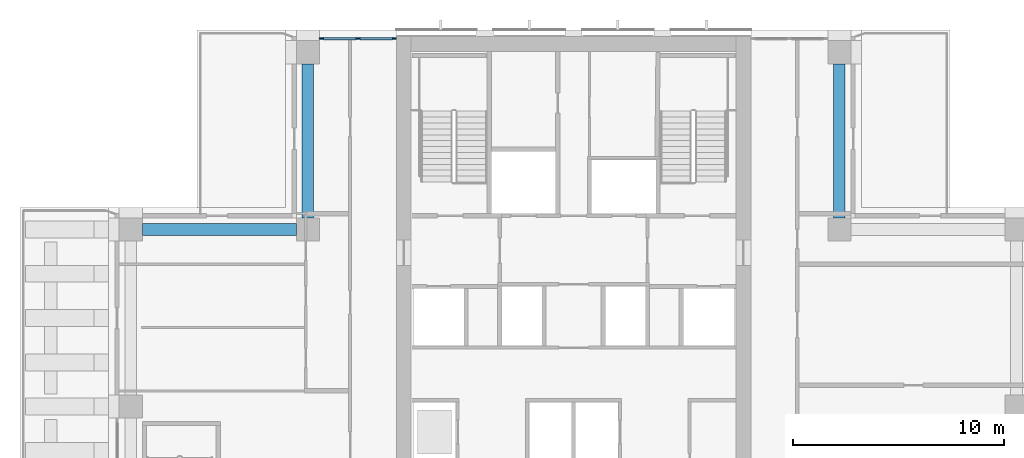
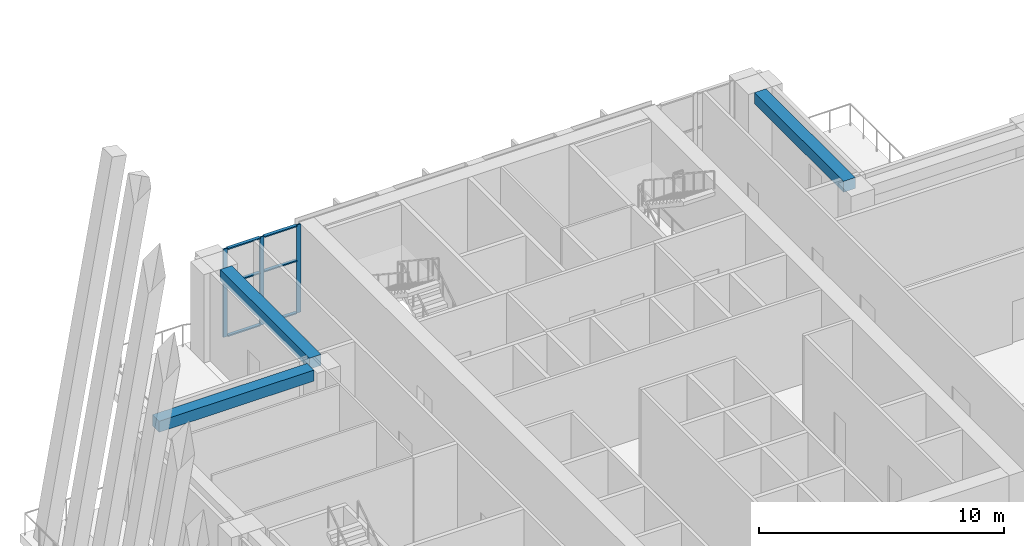
# One storey, part 5 of 19: 9 members, 3 beams, 1 element without a shape of its own.
"""IFC4 building model written with IfcOpenShell, lengths in metres."""

from ifc_helpers import new_model, si_unit, direction, frame, origin, origin_2d, place, context, subcontext, project, spatial, rectangle, extrude, material, material_profile, profile_set, type_object, element, aggregate, save


model = new_model("IFC4")

# Units and contexts
model_context = context("Model", 3, precision=1e-05, world=origin(), true_north=direction((0.0, 1.0)))
body_context = subcontext(model_context, "Body", "Model", "MODEL_VIEW")
ifc_project = project(units=[si_unit("LENGTHUNIT", "METRE"), si_unit("AREAUNIT", "SQUARE_METRE"), si_unit("VOLUMEUNIT", "CUBIC_METRE"), si_unit("PLANEANGLEUNIT", "RADIAN"), si_unit("MASSUNIT", "GRAM", prefix="KILO")], contexts=[model_context])

# Site, building, storey
site_placement = place(None, origin())
site = spatial("IfcSite", under=ifc_project, at=site_placement, CompositionType="ELEMENT")
building_placement = place(site_placement, origin())
building = spatial("IfcBuilding", under=site, at=building_placement, Name="Vermilion Ogive Tower", CompositionType="ELEMENT")
storey_placement = place(building_placement, frame((0.0, 0.0, 128.300048828125)))
storey = spatial("IfcBuildingStorey", under=building, at=storey_placement, Name="L32", CompositionType="ELEMENT", Elevation=128.300048828125)

# Curtain wall, members
ifc_material_1 = material(Name="Low-iron laminated glazing in aluminium frame", Category="aluminium")
curtain_wall_type = type_object("IfcCurtainWallType", Name="Curtain wall CW6", PredefinedType="NOTDEFINED", material=ifc_material_1)
curtain_wall_placement = place(storey_placement, origin())
curtain_wall = element("IfcCurtainWall", 1, at=curtain_wall_placement, inside=storey, type_object=curtain_wall_type, Name="CW6 sky lobby glazing N21", PredefinedType="NOTDEFINED")
ifc_material_2 = material(Name="Aluminium mullion", Category="aluminium")
ifc_material_profile_1 = material_profile(ifc_material_2, rectangle(XDim=0.06005859375, YDim=0.199951171875, at=origin_2d()), Name="AL 60x200")
ifc_profile_set_1 = profile_set([ifc_material_profile_1], Name="Aluminium mullion")
member_type_1 = type_object("IfcMemberType", Name="CW6 mullion 60x200", PredefinedType="MULLION", material=ifc_profile_set_1)
member_1_placement = place(storey_placement, frame((-8.5, 21.64990234375, 0.0), z_axis=(0.0, 0.0, 1.0), x_axis=(0.0, -1.0, 0.0)))
member_1 = element("IfcMember", 2, at=member_1_placement, type_object=member_type_1, Name="CW6-N21 mullion 1", PredefinedType="MULLION", context=body_context, shape_type="SweptSolid", body=[
    extrude(rectangle(XDim=0.06005859375, YDim=0.199951171875, at=origin_2d()), origin(), (0.0, 0.0, 1.0), 4.39990234375),
])
member_2_placement = place(storey_placement, frame((-10.22509765625, 21.64990234375, 0.0), z_axis=(0.0, 0.0, 1.0), x_axis=(0.0, -1.0, 0.0)))
member_2 = element("IfcMember", 3, at=member_2_placement, type_object=member_type_1, Name="CW6-N21 mullion 2", PredefinedType="MULLION", context=body_context, shape_type="SweptSolid", body=[
    extrude(rectangle(XDim=0.06005859375, YDim=0.199951171875, at=origin_2d()), origin(), (0.0, 0.0, 1.0), 4.39990234375),
])
member_3_placement = place(storey_placement, frame((-11.949951171875, 21.64990234375, 0.0), z_axis=(0.0, 0.0, 1.0), x_axis=(0.0, -1.0, 0.0)))
member_3 = element("IfcMember", 4, at=member_3_placement, type_object=member_type_1, Name="CW6-N21 mullion 3", PredefinedType="MULLION", context=body_context, shape_type="SweptSolid", body=[
    extrude(rectangle(XDim=0.06005859375, YDim=0.199951171875, at=origin_2d()), origin(), (0.0, 0.0, 1.0), 4.39990234375),
])
ifc_material_3 = material(Name="Aluminium transom", Category="aluminium")
ifc_material_profile_2 = material_profile(ifc_material_3, rectangle(XDim=0.14990234375, YDim=0.06005859375, at=origin_2d()), Name="AL 60x150")
ifc_profile_set_2 = profile_set([ifc_material_profile_2], Name="Aluminium transom")
member_type_2 = type_object("IfcMemberType", Name="CW6 transom 60x150", PredefinedType="USERDEFINED", material=ifc_profile_set_2)
member_4_placement = place(storey_placement, frame((-8.60009765625, 21.64990234375, 0.030029296875), z_axis=(-1.0, 0.0, 0.0), x_axis=(0.0, -1.0, 0.0)))
member_4 = element("IfcMember", 5, at=member_4_placement, type_object=member_type_2, Name="CW6-N21 transom 1.1", ObjectType="TRANSOM", PredefinedType="USERDEFINED", context=body_context, shape_type="SweptSolid", body=[
    extrude(rectangle(XDim=0.14990234375, YDim=0.06005859375, at=origin_2d()), origin(), (0.0, 0.0, 1.0), 1.52490234375),
])
member_5_placement = place(storey_placement, frame((-8.60009765625, 21.64990234375, 2.639892578125), z_axis=(-1.0, 0.0, 0.0), x_axis=(0.0, -1.0, 0.0)))
member_5 = element("IfcMember", 6, at=member_5_placement, type_object=member_type_2, Name="CW6-N21 transom 1.2", ObjectType="TRANSOM", PredefinedType="USERDEFINED", context=body_context, shape_type="SweptSolid", body=[
    extrude(rectangle(XDim=0.14990234375, YDim=0.06005859375, at=origin_2d()), origin(), (0.0, 0.0, 1.0), 1.52490234375),
])
member_6_placement = place(storey_placement, frame((-8.60009765625, 21.64990234375, 4.369873046875), z_axis=(-1.0, 0.0, 0.0), x_axis=(0.0, -1.0, 0.0)))
member_6 = element("IfcMember", 7, at=member_6_placement, type_object=member_type_2, Name="CW6-N21 transom 1.3", ObjectType="TRANSOM", PredefinedType="USERDEFINED", context=body_context, shape_type="SweptSolid", body=[
    extrude(rectangle(XDim=0.14990234375, YDim=0.06005859375, at=origin_2d()), origin(), (0.0, 0.0, 1.0), 1.52490234375),
])
member_7_placement = place(storey_placement, frame((-10.324951171875, 21.64990234375, 0.030029296875), z_axis=(-1.0, 0.0, 0.0), x_axis=(0.0, -1.0, 0.0)))
member_7 = element("IfcMember", 8, at=member_7_placement, type_object=member_type_2, Name="CW6-N21 transom 2.1", ObjectType="TRANSOM", PredefinedType="USERDEFINED", context=body_context, shape_type="SweptSolid", body=[
    extrude(rectangle(XDim=0.14990234375, YDim=0.06005859375, at=origin_2d()), origin(), (0.0, 0.0, 1.0), 1.525146484375),
])
member_8_placement = place(storey_placement, frame((-10.324951171875, 21.64990234375, 2.639892578125), z_axis=(-1.0, 0.0, 0.0), x_axis=(0.0, -1.0, 0.0)))
member_8 = element("IfcMember", 9, at=member_8_placement, type_object=member_type_2, Name="CW6-N21 transom 2.2", ObjectType="TRANSOM", PredefinedType="USERDEFINED", context=body_context, shape_type="SweptSolid", body=[
    extrude(rectangle(XDim=0.14990234375, YDim=0.06005859375, at=origin_2d()), origin(), (0.0, 0.0, 1.0), 1.525146484375),
])
member_9_placement = place(storey_placement, frame((-10.324951171875, 21.64990234375, 4.369873046875), z_axis=(-1.0, 0.0, 0.0), x_axis=(0.0, -1.0, 0.0)))
member_9 = element("IfcMember", 10, at=member_9_placement, type_object=member_type_2, Name="CW6-N21 transom 2.3", ObjectType="TRANSOM", PredefinedType="USERDEFINED", context=body_context, shape_type="SweptSolid", body=[
    extrude(rectangle(XDim=0.14990234375, YDim=0.06005859375, at=origin_2d()), origin(), (0.0, 0.0, 1.0), 1.525146484375),
])
aggregate(curtain_wall, [member_1, member_2, member_3, member_4, member_5, member_6, member_7, member_8, member_9])

# Beams
ifc_material_4 = material(Name="Concrete B45", Category="concrete")
ifc_material_profile_3 = material_profile(ifc_material_4, rectangle(XDim=0.550048828125, YDim=0.550048828125, at=origin_2d()), Name="550 x 550")
ifc_profile_set_3 = profile_set([ifc_material_profile_3], Name="Concrete B45")
beam_type = type_object("IfcBeamType", Name="Edge beam 550 x 550 B45", PredefinedType="BEAM", material=ifc_profile_set_3)
for number, where, z_axis, x_axis, name in (
    (11, (12.60009765625, 13.14990234375, 4.125), (0.0, 1.0, 0.0), (-1.0, 0.0, 0.0), "L32-EB-10"),
    (12, (-12.60009765625, 20.449951171875, 4.125), (0.0, -1.0, 0.0), (1.0, 0.0, 0.0), "L32-EB-11"),
    (13, (-13.14990234375, 12.60009765625, 4.125), (-1.0, 0.0, 0.0), (0.0, -1.0, 0.0), "L32-EB-12"),
):
    element("IfcBeam", number, at=place(storey_placement, frame(where, z_axis=z_axis, x_axis=x_axis)), inside=storey, type_object=beam_type, Name=name, PredefinedType="BEAM", context=body_context, shape_type="SweptSolid", body=[
        extrude(rectangle(XDim=0.550048828125, YDim=0.550048828125, at=origin_2d()), origin(), (0.0, 0.0, 1.0), 7.300048828125),
    ])

save(model, "model.ifc")
